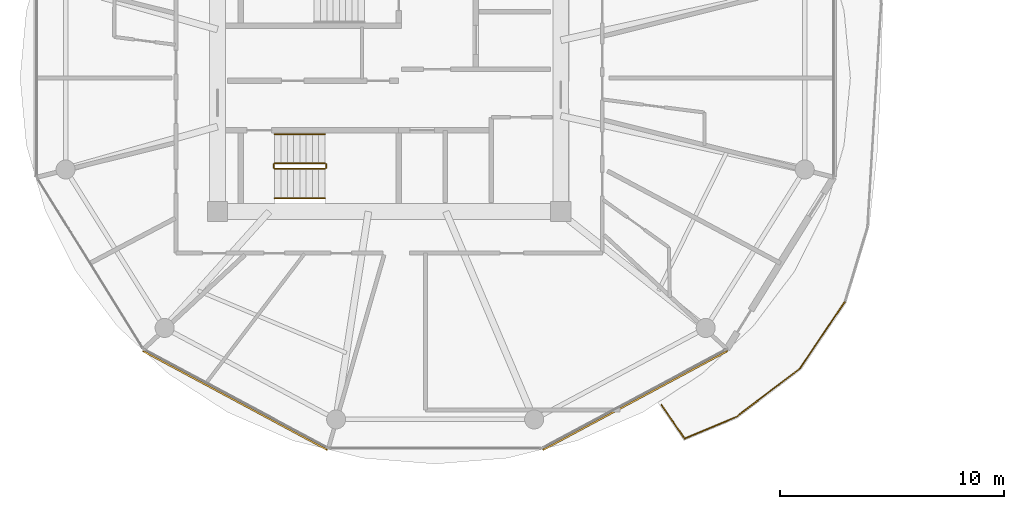
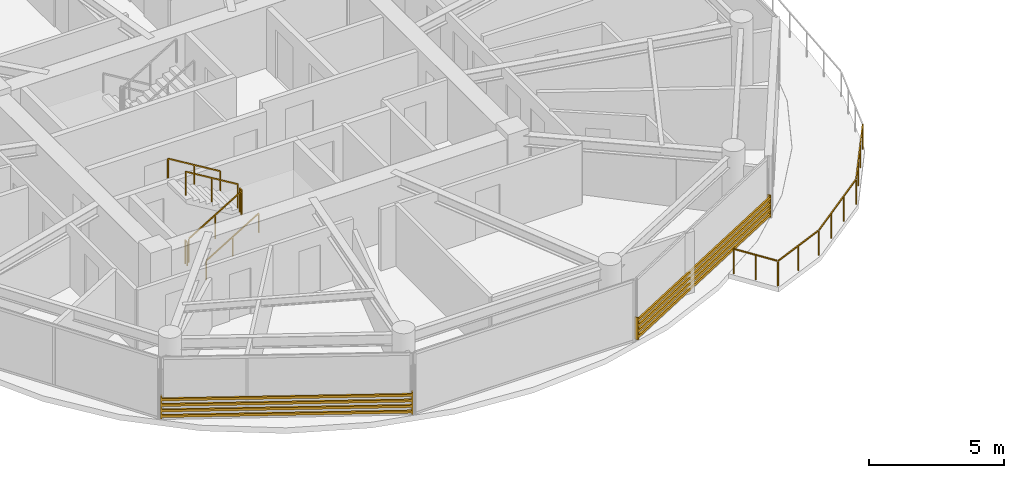
# One storey, part 19 of 22: 7 railings, 2 shading devices.
"""IFC4 building model written with IfcOpenShell, lengths in metres."""

import ifcopenshell
import ifcopenshell.guid

model = None  # the IFC model being written
_history = None  # IfcOwnerHistory: only IFC2X3 demands one
_inside = {}  # id of a spatial element -> (the spatial element, [elements in it])
_under = {}  # id of a project, library or spatial element -> (it, [spatial elements below it])
_declared = {}  # id of a project -> (the project, [libraries it declares])
_typed = {}  # id of a type object -> (the type object, [elements of that type])
_made_of = {}  # id of a material, layer set ... -> (it, [elements and type objects made of it])


def new_model(schema):
    """Start an empty IFC model of exactly this schema.

    Asked for "IFC4X3", IfcOpenShell would pick the latest addendum, in which some entities
    have other attributes; the version numbers below select the first issue.
    IFC2X3 requires an IfcOwnerHistory on every rooted entity: one is made here for all.
    """
    global model, _history
    if schema == "IFC4X3":
        model = ifcopenshell.file(schema_version=(4, 3, 0, 0))
    else:
        model = ifcopenshell.file(schema=schema)
    _inside.clear()
    _under.clear()
    _declared.clear()
    _typed.clear()
    _made_of.clear()
    _history = None
    if model.schema == "IFC2X3":
        org = make("IfcOrganization", Name="unknown")
        user = make(
            "IfcPersonAndOrganization",
            ThePerson=make("IfcPerson", FamilyName="unknown"),
            TheOrganization=org,
        )
        app = make(
            "IfcApplication",
            ApplicationDeveloper=org,
            Version="unknown",
            ApplicationFullName="unknown",
            ApplicationIdentifier="unknown",
        )
        _history = make(
            "IfcOwnerHistory",
            OwningUser=user,
            OwningApplication=app,
            ChangeAction="ADDED",
            CreationDate=0,
        )
    return model


def make(cls, **values):
    """One entity of the class cls with the attributes given. An attribute that is None is left unset."""
    return model.create_entity(
        cls, **{name: value for name, value in values.items() if value is not None}
    )


def rooted(cls, **values):
    """An entity with a GlobalId (a new one), such as an element, a storey or a relation."""
    return make(cls, GlobalId=ifcopenshell.guid.new(), OwnerHistory=_history, **values)


def si_unit(unit_type, name, prefix=None):
    """IfcSIUnit, for example si_unit("LENGTHUNIT", "METRE", prefix="MILLI")."""
    return make("IfcSIUnit", UnitType=unit_type, Prefix=prefix, Name=name)


def assignment(units):
    """IfcUnitAssignment: the units of a project."""
    return None if units is None else make("IfcUnitAssignment", Units=units)


def point(xyz):
    """IfcCartesianPoint."""
    return None if xyz is None else make("IfcCartesianPoint", Coordinates=xyz)


def direction(xyz):
    """IfcDirection."""
    return None if xyz is None else make("IfcDirection", DirectionRatios=xyz)


def frame(location, z_axis=None, x_axis=None):
    """IfcAxis2Placement3D, a coordinate frame: its origin and axes. An axis left out is left unset."""
    return make(
        "IfcAxis2Placement3D",
        Location=point(location),
        Axis=direction(z_axis),
        RefDirection=direction(x_axis),
    )


def frame_2d(location, x_axis=None):
    """IfcAxis2Placement2D, a coordinate frame in the plane: its origin and x axis."""
    return make(
        "IfcAxis2Placement2D", Location=point(location), RefDirection=direction(x_axis)
    )


def origin():
    """The frame at (0, 0, 0) with its axes left unset."""
    return frame((0.0, 0.0, 0.0))


def origin_2d():
    """The frame at (0, 0) in the plane with its x axis left unset."""
    return frame_2d((0.0, 0.0))


def place(relative_to, where):
    """IfcLocalPlacement: puts the frame where relative to a parent placement (None: the world)."""
    return make(
        "IfcLocalPlacement", PlacementRelTo=relative_to, RelativePlacement=where
    )


def context(
    kind, dimensions, precision=None, world=None, true_north=None, identifier=None
):
    """IfcGeometricRepresentationContext, for example the 3D "Model" context."""
    return make(
        "IfcGeometricRepresentationContext",
        ContextIdentifier=identifier,
        ContextType=kind,
        CoordinateSpaceDimension=dimensions,
        Precision=precision,
        WorldCoordinateSystem=world,
        TrueNorth=true_north,
    )


def subcontext(parent, identifier, kind, view, scale=None):
    """IfcGeometricRepresentationSubContext, for example "Body" below "Model"."""
    return make(
        "IfcGeometricRepresentationSubContext",
        ContextIdentifier=identifier,
        ContextType=kind,
        ParentContext=parent,
        TargetScale=scale,
        TargetView=view,
    )


def project(units=None, contexts=None):
    """IfcProject with its units and contexts."""
    return rooted(
        "IfcProject",
        Name="project",
        RepresentationContexts=contexts,
        UnitsInContext=assignment(units),
    )


def spatial(cls, under=None, at=None, **own):
    """A site, building, storey or space (cls), placed at a placement, below another one or the project."""
    s = rooted(cls, ObjectPlacement=at, **own)
    if under is not None:
        _under.setdefault(under.id(), (under, []))[1].append(s)
    return s


def profile(cls, at=None, kind="AREA", **sizes):
    """A parametric profile (cls). Its sizes go by their IFC names, for example OverallWidth=200.0."""
    return make(cls, ProfileType=kind, Position=at, **sizes)


def rectangle(**sizes):
    """IfcRectangleProfileDef."""
    return profile("IfcRectangleProfileDef", **sizes)


def extrude(swept, where, along, depth):
    """IfcExtrudedAreaSolid: the profile swept, set in the frame where, extruded along a direction by depth."""
    return make(
        "IfcExtrudedAreaSolid",
        SweptArea=swept,
        Position=where,
        ExtrudedDirection=direction(along),
        Depth=depth,
    )


def shape(context_of_items, identifier, shape_type, items):
    """IfcShapeRepresentation: the items that make up one representation, for example the "Body"."""
    return make(
        "IfcShapeRepresentation",
        ContextOfItems=context_of_items,
        RepresentationIdentifier=identifier,
        RepresentationType=shape_type,
        Items=items,
    )


def source(mapping_origin, context_of_items, identifier, shape_type, items):
    """IfcRepresentationMap: a shape defined once, which mapped items show again and again."""
    return make(
        "IfcRepresentationMap",
        MappingOrigin=mapping_origin,
        MappedRepresentation=shape(context_of_items, identifier, shape_type, items),
    )


def transform(
    local_origin,
    x_axis=None,
    y_axis=None,
    z_axis=None,
    scale=None,
    scale2=None,
    scale3=None,
    uniform=True,
):
    """IfcCartesianTransformationOperator3D, or its non-uniform kind. x_axis, y_axis, z_axis: its Axis1, 2, 3."""
    if uniform:
        return make(
            "IfcCartesianTransformationOperator3D",
            Axis1=direction(x_axis),
            Axis2=direction(y_axis),
            LocalOrigin=point(local_origin),
            Scale=scale,
            Axis3=direction(z_axis),
        )
    return make(
        "IfcCartesianTransformationOperator3DnonUniform",
        Axis1=direction(x_axis),
        Axis2=direction(y_axis),
        LocalOrigin=point(local_origin),
        Scale=scale,
        Axis3=direction(z_axis),
        Scale2=scale2,
        Scale3=scale3,
    )


def mapped(mapping_source, mapping_target):
    """IfcMappedItem: shows the shape of a source again, moved by a transform."""
    return make(
        "IfcMappedItem", MappingSource=mapping_source, MappingTarget=mapping_target
    )


def material(Name=None, Category=None):
    """IfcMaterial."""
    return make("IfcMaterial", Name=Name, Category=Category)


def made_of(thing, what):
    """Note that an element or type object is made of a material, layer set ...; save() writes the relation."""
    if what is not None:
        _made_of.setdefault(what.id(), (what, []))[1].append(thing)
    return thing


def type_object(cls, material=None, **own):
    """A type object (cls), such as IfcWallType, which elements share."""
    return made_of(rooted(cls, **own), material)


def type_shapes(of_type, sources):
    """Give a type object the sources (RepresentationMaps) that its elements show as mapped items."""
    of_type.RepresentationMaps = sources


def element(
    cls,
    number,
    at=None,
    inside=None,
    cuts=None,
    type_object=None,
    material=None,
    context=None,
    identifier="Body",
    shape_type=None,
    held_by="IfcProductDefinitionShape",
    body=None,
    shapes=None,
    **own,
):
    """One element of the class cls, such as IfcWall. Its Tag is "e" and its number.

    at: its placement. inside: the storey or other place that contains it. cuts: it is an
    opening in that element (IfcRelVoidsElement). A single representation is given by context,
    identifier, shape_type and body (its items); several are given by shapes. held_by: the class
    of the entity that holds the representations. save() writes the other relations.
    """
    e = rooted(cls, Tag="e%d" % number, ObjectPlacement=at, **own)
    if body is not None:
        shapes = [shape(context, identifier, shape_type, body)]
    if shapes is not None:
        e.Representation = make(held_by, Representations=shapes)
    if inside is not None:
        _inside.setdefault(inside.id(), (inside, []))[1].append(e)
    if cuts is not None:
        rooted(
            "IfcRelVoidsElement", RelatingBuildingElement=cuts, RelatedOpeningElement=e
        )
    if type_object is not None:
        _typed.setdefault(type_object.id(), (type_object, []))[1].append(e)
    return made_of(e, material)


def aggregate(whole, parts):
    """IfcRelAggregates: a whole, such as a stair, and the parts it consists of."""
    return rooted("IfcRelAggregates", RelatingObject=whole, RelatedObjects=parts)


def save(model, path):
    """Write the relations noted so far, then the file.

    IfcRelAggregates (storeys below a building ...), IfcRelContainedInSpatialStructure (elements
    in a storey), IfcRelDefinesByType, IfcRelAssociatesMaterial and IfcRelDeclares: one each for
    every whole, place, type object, material and project.
    """
    for whole, parts in _under.values():
        aggregate(whole, parts)
    for where, things in _inside.values():
        rooted(
            "IfcRelContainedInSpatialStructure",
            RelatedElements=things,
            RelatingStructure=where,
        )
    for kind, things in _typed.values():
        rooted("IfcRelDefinesByType", RelatedObjects=things, RelatingType=kind)
    for what, things in _made_of.values():
        rooted("IfcRelAssociatesMaterial", RelatedObjects=things, RelatingMaterial=what)
    for by, libraries in _declared.values():
        rooted("IfcRelDeclares", RelatingContext=by, RelatedDefinitions=libraries)
    model.write(path)


model = new_model("IFC4")

# Units and contexts
model_context = context("Model", 3, precision=1e-05, world=origin(), true_north=direction((0.0, 1.0)))
body_context = subcontext(model_context, "Body", "Model", "MODEL_VIEW")
ifc_project = project(units=[si_unit("LENGTHUNIT", "METRE"), si_unit("AREAUNIT", "SQUARE_METRE"), si_unit("VOLUMEUNIT", "CUBIC_METRE"), si_unit("PLANEANGLEUNIT", "RADIAN"), si_unit("MASSUNIT", "GRAM", prefix="KILO")], contexts=[model_context])

# Site, building, storey
site_placement = place(None, origin())
site = spatial("IfcSite", under=ifc_project, at=site_placement, CompositionType="ELEMENT")
building_placement = place(site_placement, origin())
building = spatial("IfcBuilding", under=site, at=building_placement, Name="Norrkilde Senior Care Towers", CompositionType="ELEMENT")
storey_placement = place(building_placement, frame((0.0, 0.0, 120.64990234375)))
storey = spatial("IfcBuildingStorey", under=building, at=storey_placement, Name="L37", CompositionType="ELEMENT", Elevation=120.64990234375)

# Railings
ifc_material_1 = material(Name="Anodised Aluminium", Category="aluminium")
railing_type_1 = type_object("IfcRailingType", Name="Balcony Swirl Ribbon Guardrail 1150", PredefinedType="GUARDRAIL", material=ifc_material_1)
railing_1_placement = place(storey_placement, frame((-7.70703125, -9.990234375, 0.0)))
element("IfcRailing", 1, at=railing_1_placement, inside=storey, type_object=railing_type_1, Name="L37 Perimeter Safety Guard 03", PredefinedType="GUARDRAIL", context=body_context, shape_type="SweptSolid", body=[
    extrude(rectangle(XDim=0.048095703125, YDim=0.048095703125, at=origin_2d()), frame((0.0, 0.0, 1.1259765625), z_axis=(-0.558120782116, -0.82975971978, 0.0), x_axis=(0.82975971978, -0.558120782116, 0.0)), (0.0, 0.0, 1.0), 3.511962890625),
    extrude(rectangle(XDim=0.048095703125, YDim=0.048095703125, at=origin_2d()), frame((-2.015380859375, -2.97265625, 1.1259765625), z_axis=(-0.795905850137, -0.605420414025, 0.0), x_axis=(0.605420414025, -0.795905850137, 0.0)), (0.0, 0.0, 1.0), 3.498046875),
    extrude(rectangle(XDim=0.048095703125, YDim=0.048095703125, at=origin_2d()), frame((-4.869873046875, -5.131103515625, 1.1259765625), z_axis=(-0.922812650311, -0.385249026509, 0.0), x_axis=(0.385249026509, -0.922812650311, 0.0)), (0.0, 0.0, 1.0), 2.407470703125),
    extrude(rectangle(XDim=0.048095703125, YDim=0.048095703125, at=origin_2d()), frame((-7.15234375, -6.04052734375, 1.1259765625), z_axis=(-0.565536189048, 0.824723480251, 0.0), x_axis=(-0.824723480251, -0.565536189048, 0.0)), (0.0, 0.0, 1.0), 1.776123046875),
    extrude(rectangle(XDim=0.0419921875, YDim=0.0419921875, at=origin_2d()), origin(), (0.0, 0.0, 1.0), 1.099853515625),
    extrude(rectangle(XDim=0.0419921875, YDim=0.0419921875, at=origin_2d()), frame((-0.660888671875, -0.982666015625, 0.0)), (0.0, 0.0, 1.0), 1.099853515625),
    extrude(rectangle(XDim=0.0419921875, YDim=0.0419921875, at=origin_2d()), frame((-1.322021484375, -1.96533203125, 0.0)), (0.0, 0.0, 1.0), 1.099853515625),
    extrude(rectangle(XDim=0.0419921875, YDim=0.0419921875, at=origin_2d()), frame((-1.98291015625, -2.947998046875, 0.0)), (0.0, 0.0, 1.0), 1.099853515625),
    extrude(rectangle(XDim=0.0419921875, YDim=0.0419921875, at=origin_2d()), frame((-2.9326171875, -3.67041015625, 0.0)), (0.0, 0.0, 1.0), 1.099853515625),
    extrude(rectangle(XDim=0.0419921875, YDim=0.0419921875, at=origin_2d()), frame((-3.88232421875, -4.392822265625, 0.0)), (0.0, 0.0, 1.0), 1.099853515625),
    extrude(rectangle(XDim=0.0419921875, YDim=0.0419921875, at=origin_2d()), frame((-4.83203125, -5.115234375, 0.0)), (0.0, 0.0, 1.0), 1.099853515625),
    extrude(rectangle(XDim=0.0419921875, YDim=0.0419921875, at=origin_2d()), frame((-5.98046875, -5.5947265625, 0.0)), (0.0, 0.0, 1.0), 1.099853515625),
    extrude(rectangle(XDim=0.0419921875, YDim=0.0419921875, at=origin_2d()), frame((-7.129150390625, -6.07421875, 0.0)), (0.0, 0.0, 1.0), 1.099853515625),
    extrude(rectangle(XDim=0.0419921875, YDim=0.0419921875, at=origin_2d()), frame((-7.64306640625, -5.324951171875, 0.0)), (0.0, 0.0, 1.0), 1.099853515625),
    extrude(rectangle(XDim=0.0419921875, YDim=0.0419921875, at=origin_2d()), frame((-8.15673828125, -4.57568359375, 0.0)), (0.0, 0.0, 1.0), 1.099853515625),
])
ifc_material_2 = material(Name="Stainless Steel", Category="steel")
railing_type_2 = type_object("IfcRailingType", Name="Stair and Terrace Guardrail 1100", PredefinedType="GUARDRAIL", material=ifc_material_2)
railing_2_placement = place(storey_placement, frame((-33.10009765625, -4.050048828125, 0.16943359375)))
element("IfcRailing", 2, at=railing_2_placement, inside=storey, type_object=railing_type_2, Name="L37 ST-W2 stair guard 1", PredefinedType="GUARDRAIL", context=body_context, shape_type="SweptSolid", body=[
    extrude(rectangle(XDim=0.048095703125, YDim=0.048095703125, at=origin_2d()), frame((0.0, 0.0, 1.076171875), z_axis=(0.855512035549, 0.0, 0.517782924622), x_axis=(0.0, 1.0, 0.0)), (0.0, 0.0, 1.0), 2.618408203125),
    extrude(rectangle(XDim=0.0419921875, YDim=0.0419921875, at=origin_2d()), origin(), (0.0, 0.0, 1.0), 1.050048828125),
    extrude(rectangle(XDim=0.0419921875, YDim=0.0419921875, at=origin_2d()), frame((1.1201171875, 0.0, 0.677734375)), (0.0, 0.0, 1.0), 1.050048828125),
    extrude(rectangle(XDim=0.0419921875, YDim=0.0419921875, at=origin_2d()), frame((2.239990234375, 0.0, 1.355712890625)), (0.0, 0.0, 1.0), 1.050048828125),
])
railing_3_placement = place(storey_placement, frame((-30.81005859375, -4.0, 1.525146484375)))
element("IfcRailing", 3, at=railing_3_placement, inside=storey, type_object=railing_type_2, Name="L37 ST-W2 stair guard 2", PredefinedType="GUARDRAIL", context=body_context, shape_type="SweptSolid", body=[
    extrude(rectangle(XDim=0.048095703125, YDim=0.048095703125, at=origin_2d()), frame((0.0, 0.0, 1.076171875), z_axis=(0.0, 1.0, 0.0), x_axis=(-1.0, 0.0, 0.0)), (0.0, 0.0, 1.0), 0.14990234375),
    extrude(rectangle(XDim=0.0419921875, YDim=0.0419921875, at=origin_2d()), origin(), (0.0, 0.0, 1.0), 1.050048828125),
    extrude(rectangle(XDim=0.0419921875, YDim=0.0419921875, at=origin_2d()), frame((0.0, 0.14990234375, 0.0)), (0.0, 0.0, 1.0), 1.050048828125),
])
railing_4_placement = place(storey_placement, frame((-30.860107421875, -3.800048828125, 1.694580078125)))
element("IfcRailing", 4, at=railing_4_placement, inside=storey, type_object=railing_type_2, Name="L37 ST-W2 stair guard 3", PredefinedType="GUARDRAIL", context=body_context, shape_type="SweptSolid", body=[
    extrude(rectangle(XDim=0.048095703125, YDim=0.048095703125, at=origin_2d()), frame((0.0, 0.0, 1.076171875), z_axis=(-0.855553338991, 0.0, 0.51771467445), x_axis=(0.0, -1.0, 0.0)), (0.0, 0.0, 1.0), 2.6181640625),
    extrude(rectangle(XDim=0.0419921875, YDim=0.0419921875, at=origin_2d()), origin(), (0.0, 0.0, 1.0), 1.050048828125),
    extrude(rectangle(XDim=0.0419921875, YDim=0.0419921875, at=origin_2d()), frame((-1.1201171875, 0.0, 0.677734375)), (0.0, 0.0, 1.0), 1.050048828125),
    extrude(rectangle(XDim=0.0419921875, YDim=0.0419921875, at=origin_2d()), frame((-2.239990234375, 0.0, 1.35546875)), (0.0, 0.0, 1.0), 1.050048828125),
])
railing_5_placement = place(storey_placement, frame((-33.14990234375, -4.0, 0.0)))
element("IfcRailing", 5, at=railing_5_placement, inside=storey, type_object=railing_type_2, Name="L37 ST-W2 stair guard 4", PredefinedType="GUARDRAIL", context=body_context, shape_type="SweptSolid", body=[
    extrude(rectangle(XDim=0.048095703125, YDim=0.048095703125, at=origin_2d()), frame((0.0, 0.0, 1.076171875), z_axis=(0.0, 1.0, 0.0), x_axis=(-1.0, 0.0, 0.0)), (0.0, 0.0, 1.0), 0.14990234375),
    extrude(rectangle(XDim=0.0419921875, YDim=0.0419921875, at=origin_2d()), origin(), (0.0, 0.0, 1.0), 1.050048828125),
    extrude(rectangle(XDim=0.0419921875, YDim=0.0419921875, at=origin_2d()), frame((0.0, 0.14990234375, 0.0)), (0.0, 0.0, 1.0), 1.050048828125),
])
ifc_material_3 = material(Name="Nordic Ash Timber", Category="wood")
railing_type_3 = type_object("IfcRailingType", Name="Wall and Stair Handrail 900", PredefinedType="HANDRAIL", material=ifc_material_3)
railing_6_placement = place(storey_placement, frame((-33.10009765625, -5.35009765625, 0.16943359375)))
element("IfcRailing", 6, at=railing_6_placement, inside=storey, type_object=railing_type_3, Name="L37 ST-W2 stair handrail 1", PredefinedType="HANDRAIL", context=body_context, shape_type="SweptSolid", body=[
    extrude(rectangle(XDim=0.048095703125, YDim=0.048095703125, at=origin_2d()), frame((0.0, 0.0, 0.8759765625), z_axis=(0.855512035549, 0.0, 0.517782924622), x_axis=(0.0, 1.0, 0.0)), (0.0, 0.0, 1.0), 2.618408203125),
    extrude(rectangle(XDim=0.0419921875, YDim=0.0419921875, at=origin_2d()), origin(), (0.0, 0.0, 1.0), 0.849853515625),
    extrude(rectangle(XDim=0.0419921875, YDim=0.0419921875, at=origin_2d()), frame((1.1201171875, 0.0, 0.677734375)), (0.0, 0.0, 1.0), 0.849853515625),
    extrude(rectangle(XDim=0.0419921875, YDim=0.0419921875, at=origin_2d()), frame((2.239990234375, 0.0, 1.355712890625)), (0.0, 0.0, 1.0), 0.849853515625),
])
railing_7_placement = place(storey_placement, frame((-30.860107421875, -2.5, 1.694580078125)))
element("IfcRailing", 7, at=railing_7_placement, inside=storey, type_object=railing_type_3, Name="L37 ST-W2 stair handrail 2", PredefinedType="HANDRAIL", context=body_context, shape_type="SweptSolid", body=[
    extrude(rectangle(XDim=0.048095703125, YDim=0.048095703125, at=origin_2d()), frame((0.0, 0.0, 0.8759765625), z_axis=(-0.855553338991, 0.0, 0.51771467445), x_axis=(0.0, -1.0, 0.0)), (0.0, 0.0, 1.0), 2.6181640625),
    extrude(rectangle(XDim=0.0419921875, YDim=0.0419921875, at=origin_2d()), origin(), (0.0, 0.0, 1.0), 0.849853515625),
    extrude(rectangle(XDim=0.0419921875, YDim=0.0419921875, at=origin_2d()), frame((-1.1201171875, 0.0, 0.677734375)), (0.0, 0.0, 1.0), 0.849853515625),
    extrude(rectangle(XDim=0.0419921875, YDim=0.0419921875, at=origin_2d()), frame((-2.239990234375, 0.0, 1.35546875)), (0.0, 0.0, 1.0), 0.849853515625),
])

# Shading devices
ifc_material_4 = material(Name="Architectural Terracotta", Category="masonry")
shading_device_type = type_object("IfcShadingDeviceType", Name="Horizontal Terracotta Baguette Rack", PredefinedType="USERDEFINED", material=ifc_material_4)
shared_shape = source(origin(), body_context, "Body", "SweptSolid", [
    extrude(rectangle(XDim=0.070068359375, YDim=0.110107421875, at=origin_2d()), frame((0.0, 0.090087890625, 0.125), z_axis=(1.0, 0.0, 0.0), x_axis=(0.0, 1.0, 0.0)), (0.0, 0.0, 1.0), 9.3505859375),
    extrude(rectangle(XDim=0.070068359375, YDim=0.110107421875, at=origin_2d()), frame((0.0, 0.090087890625, 0.375), z_axis=(1.0, 0.0, 0.0), x_axis=(0.0, 1.0, 0.0)), (0.0, 0.0, 1.0), 9.3505859375),
    extrude(rectangle(XDim=0.070068359375, YDim=0.110107421875, at=origin_2d()), frame((0.0, 0.090087890625, 0.625), z_axis=(1.0, 0.0, 0.0), x_axis=(0.0, 1.0, 0.0)), (0.0, 0.0, 1.0), 9.3505859375),
    extrude(rectangle(XDim=0.070068359375, YDim=0.110107421875, at=origin_2d()), frame((0.0, 0.090087890625, 0.875), z_axis=(1.0, 0.0, 0.0), x_axis=(0.0, 1.0, 0.0)), (0.0, 0.0, 1.0), 9.3505859375),
    extrude(rectangle(XDim=0.050048828125, YDim=0.1552734375, at=origin_2d()), frame((0.02490234375, 0.047607421875, 0.0)), (0.0, 0.0, 1.0), 1.0),
    extrude(rectangle(XDim=0.050048828125, YDim=0.1552734375, at=origin_2d()), frame((9.32568359375, 0.047607421875, 0.0)), (0.0, 0.0, 1.0), 1.0),
])
type_shapes(shading_device_type, [shared_shape])
for number, where, z_axis, x_axis, name in (
    (8, (-30.70703125, -16.498046875, 0.080078125), (0.0, 0.0, 1.0), (-0.881174934726, 0.472767624021, 0.0), "L37 Drum W Terracotta Baguette Screen 07"),
    (9, (-12.953369140625, -12.077392578125, 0.080078125), (0.0, 0.0, 1.0), (-0.881174934726, -0.472767624021, 0.0), "L37 Drum W Terracotta Baguette Screen 09"),
):
    element("IfcShadingDevice", number, at=place(storey_placement, frame(where, z_axis=z_axis, x_axis=x_axis)), inside=storey, type_object=shading_device_type, Name=name, ObjectType="BAGUETTE", PredefinedType="USERDEFINED", context=body_context, shape_type="MappedRepresentation", body=[
        mapped(shared_shape, transform((0.0, 0.0, 0.0), x_axis=(1.0, 0.0, 0.0), y_axis=(0.0, 1.0, 0.0), z_axis=(0.0, 0.0, 1.0), scale=1.0)),
    ])

save(model, "model.ifc")
